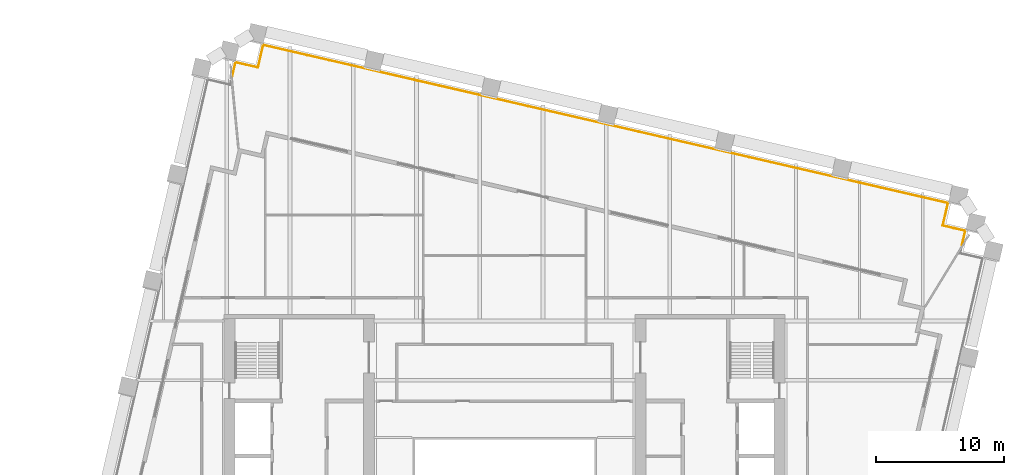
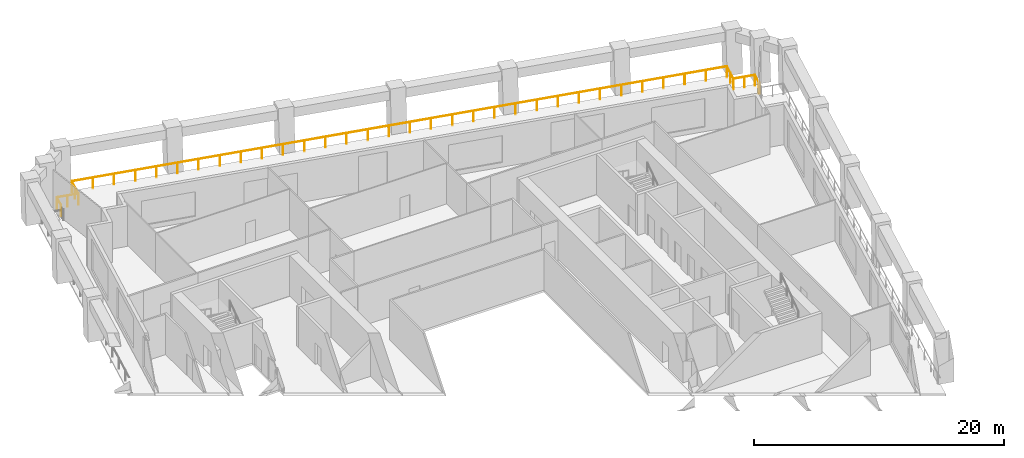
# One storey, part 10 of 10: 1 railing.
"""IFC4 building model written with IfcOpenShell, lengths in metres."""

import ifcopenshell
import ifcopenshell.guid

model = None  # the IFC model being written
_history = None  # IfcOwnerHistory: only IFC2X3 demands one
_inside = {}  # id of a spatial element -> (the spatial element, [elements in it])
_under = {}  # id of a project, library or spatial element -> (it, [spatial elements below it])
_declared = {}  # id of a project -> (the project, [libraries it declares])
_typed = {}  # id of a type object -> (the type object, [elements of that type])
_made_of = {}  # id of a material, layer set ... -> (it, [elements and type objects made of it])


def new_model(schema):
    """Start an empty IFC model of exactly this schema.

    Asked for "IFC4X3", IfcOpenShell would pick the latest addendum, in which some entities
    have other attributes; the version numbers below select the first issue.
    IFC2X3 requires an IfcOwnerHistory on every rooted entity: one is made here for all.
    """
    global model, _history
    if schema == "IFC4X3":
        model = ifcopenshell.file(schema_version=(4, 3, 0, 0))
    else:
        model = ifcopenshell.file(schema=schema)
    _inside.clear()
    _under.clear()
    _declared.clear()
    _typed.clear()
    _made_of.clear()
    _history = None
    if model.schema == "IFC2X3":
        org = make("IfcOrganization", Name="unknown")
        user = make(
            "IfcPersonAndOrganization",
            ThePerson=make("IfcPerson", FamilyName="unknown"),
            TheOrganization=org,
        )
        app = make(
            "IfcApplication",
            ApplicationDeveloper=org,
            Version="unknown",
            ApplicationFullName="unknown",
            ApplicationIdentifier="unknown",
        )
        _history = make(
            "IfcOwnerHistory",
            OwningUser=user,
            OwningApplication=app,
            ChangeAction="ADDED",
            CreationDate=0,
        )
    return model


def make(cls, **values):
    """One entity of the class cls with the attributes given. An attribute that is None is left unset."""
    return model.create_entity(
        cls, **{name: value for name, value in values.items() if value is not None}
    )


def rooted(cls, **values):
    """An entity with a GlobalId (a new one), such as an element, a storey or a relation."""
    return make(cls, GlobalId=ifcopenshell.guid.new(), OwnerHistory=_history, **values)


def si_unit(unit_type, name, prefix=None):
    """IfcSIUnit, for example si_unit("LENGTHUNIT", "METRE", prefix="MILLI")."""
    return make("IfcSIUnit", UnitType=unit_type, Prefix=prefix, Name=name)


def assignment(units):
    """IfcUnitAssignment: the units of a project."""
    return None if units is None else make("IfcUnitAssignment", Units=units)


def point(xyz):
    """IfcCartesianPoint."""
    return None if xyz is None else make("IfcCartesianPoint", Coordinates=xyz)


def direction(xyz):
    """IfcDirection."""
    return None if xyz is None else make("IfcDirection", DirectionRatios=xyz)


def frame(location, z_axis=None, x_axis=None):
    """IfcAxis2Placement3D, a coordinate frame: its origin and axes. An axis left out is left unset."""
    return make(
        "IfcAxis2Placement3D",
        Location=point(location),
        Axis=direction(z_axis),
        RefDirection=direction(x_axis),
    )


def frame_2d(location, x_axis=None):
    """IfcAxis2Placement2D, a coordinate frame in the plane: its origin and x axis."""
    return make(
        "IfcAxis2Placement2D", Location=point(location), RefDirection=direction(x_axis)
    )


def origin():
    """The frame at (0, 0, 0) with its axes left unset."""
    return frame((0.0, 0.0, 0.0))


def origin_2d():
    """The frame at (0, 0) in the plane with its x axis left unset."""
    return frame_2d((0.0, 0.0))


def place(relative_to, where):
    """IfcLocalPlacement: puts the frame where relative to a parent placement (None: the world)."""
    return make(
        "IfcLocalPlacement", PlacementRelTo=relative_to, RelativePlacement=where
    )


def context(
    kind, dimensions, precision=None, world=None, true_north=None, identifier=None
):
    """IfcGeometricRepresentationContext, for example the 3D "Model" context."""
    return make(
        "IfcGeometricRepresentationContext",
        ContextIdentifier=identifier,
        ContextType=kind,
        CoordinateSpaceDimension=dimensions,
        Precision=precision,
        WorldCoordinateSystem=world,
        TrueNorth=true_north,
    )


def subcontext(parent, identifier, kind, view, scale=None):
    """IfcGeometricRepresentationSubContext, for example "Body" below "Model"."""
    return make(
        "IfcGeometricRepresentationSubContext",
        ContextIdentifier=identifier,
        ContextType=kind,
        ParentContext=parent,
        TargetScale=scale,
        TargetView=view,
    )


def project(units=None, contexts=None):
    """IfcProject with its units and contexts."""
    return rooted(
        "IfcProject",
        Name="project",
        RepresentationContexts=contexts,
        UnitsInContext=assignment(units),
    )


def spatial(cls, under=None, at=None, **own):
    """A site, building, storey or space (cls), placed at a placement, below another one or the project."""
    s = rooted(cls, ObjectPlacement=at, **own)
    if under is not None:
        _under.setdefault(under.id(), (under, []))[1].append(s)
    return s


def profile(cls, at=None, kind="AREA", **sizes):
    """A parametric profile (cls). Its sizes go by their IFC names, for example OverallWidth=200.0."""
    return make(cls, ProfileType=kind, Position=at, **sizes)


def circle(**sizes):
    """IfcCircleProfileDef."""
    return profile("IfcCircleProfileDef", **sizes)


def extrude(swept, where, along, depth):
    """IfcExtrudedAreaSolid: the profile swept, set in the frame where, extruded along a direction by depth."""
    return make(
        "IfcExtrudedAreaSolid",
        SweptArea=swept,
        Position=where,
        ExtrudedDirection=direction(along),
        Depth=depth,
    )


def shape(context_of_items, identifier, shape_type, items):
    """IfcShapeRepresentation: the items that make up one representation, for example the "Body"."""
    return make(
        "IfcShapeRepresentation",
        ContextOfItems=context_of_items,
        RepresentationIdentifier=identifier,
        RepresentationType=shape_type,
        Items=items,
    )


def material(Name=None, Category=None):
    """IfcMaterial."""
    return make("IfcMaterial", Name=Name, Category=Category)


def made_of(thing, what):
    """Note that an element or type object is made of a material, layer set ...; save() writes the relation."""
    if what is not None:
        _made_of.setdefault(what.id(), (what, []))[1].append(thing)
    return thing


def type_object(cls, material=None, **own):
    """A type object (cls), such as IfcWallType, which elements share."""
    return made_of(rooted(cls, **own), material)


def element(
    cls,
    number,
    at=None,
    inside=None,
    cuts=None,
    type_object=None,
    material=None,
    context=None,
    identifier="Body",
    shape_type=None,
    held_by="IfcProductDefinitionShape",
    body=None,
    shapes=None,
    **own,
):
    """One element of the class cls, such as IfcWall. Its Tag is "e" and its number.

    at: its placement. inside: the storey or other place that contains it. cuts: it is an
    opening in that element (IfcRelVoidsElement). A single representation is given by context,
    identifier, shape_type and body (its items); several are given by shapes. held_by: the class
    of the entity that holds the representations. save() writes the other relations.
    """
    e = rooted(cls, Tag="e%d" % number, ObjectPlacement=at, **own)
    if body is not None:
        shapes = [shape(context, identifier, shape_type, body)]
    if shapes is not None:
        e.Representation = make(held_by, Representations=shapes)
    if inside is not None:
        _inside.setdefault(inside.id(), (inside, []))[1].append(e)
    if cuts is not None:
        rooted(
            "IfcRelVoidsElement", RelatingBuildingElement=cuts, RelatedOpeningElement=e
        )
    if type_object is not None:
        _typed.setdefault(type_object.id(), (type_object, []))[1].append(e)
    return made_of(e, material)


def aggregate(whole, parts):
    """IfcRelAggregates: a whole, such as a stair, and the parts it consists of."""
    return rooted("IfcRelAggregates", RelatingObject=whole, RelatedObjects=parts)


def save(model, path):
    """Write the relations noted so far, then the file.

    IfcRelAggregates (storeys below a building ...), IfcRelContainedInSpatialStructure (elements
    in a storey), IfcRelDefinesByType, IfcRelAssociatesMaterial and IfcRelDeclares: one each for
    every whole, place, type object, material and project.
    """
    for whole, parts in _under.values():
        aggregate(whole, parts)
    for where, things in _inside.values():
        rooted(
            "IfcRelContainedInSpatialStructure",
            RelatedElements=things,
            RelatingStructure=where,
        )
    for kind, things in _typed.values():
        rooted("IfcRelDefinesByType", RelatedObjects=things, RelatingType=kind)
    for what, things in _made_of.values():
        rooted("IfcRelAssociatesMaterial", RelatedObjects=things, RelatingMaterial=what)
    for by, libraries in _declared.values():
        rooted("IfcRelDeclares", RelatingContext=by, RelatedDefinitions=libraries)
    model.write(path)


model = new_model("IFC4")

# Units and contexts
model_context = context("Model", 3, precision=1e-05, world=origin(), true_north=direction((0.0, 1.0)))
body_context = subcontext(model_context, "Body", "Model", "MODEL_VIEW")
ifc_project = project(units=[si_unit("LENGTHUNIT", "METRE"), si_unit("AREAUNIT", "SQUARE_METRE"), si_unit("VOLUMEUNIT", "CUBIC_METRE"), si_unit("PLANEANGLEUNIT", "RADIAN"), si_unit("MASSUNIT", "GRAM", prefix="KILO")], contexts=[model_context])

# Site, building, storey
site_placement = place(None, origin())
site = spatial("IfcSite", under=ifc_project, at=site_placement, CompositionType="ELEMENT")
building_placement = place(site_placement, origin())
building = spatial("IfcBuilding", under=site, at=building_placement, Name="Ogive Exchange Tower", CompositionType="ELEMENT")
storey_placement = place(building_placement, frame((0.0, 0.0, 151.800048828125)))
storey = spatial("IfcBuildingStorey", under=building, at=storey_placement, Name="L33", CompositionType="ELEMENT", Elevation=151.800048828125)

# Railing
ifc_material = material(Name="Stainless steel 316", Category="steel")
railing_type = type_object("IfcRailingType", Name="Guard 1100 stainless steel and glass", PredefinedType="GUARDRAIL", material=ifc_material)
railing_placement = place(storey_placement, frame((-21.221435546875, 44.29736328125, -0.050048828125)))
element("IfcRailing", 1, at=railing_placement, inside=storey, type_object=railing_type, Name="Loggia guard 3", PredefinedType="GUARDRAIL", context=body_context, shape_type="SweptSolid", body=[
    extrude(circle(Radius=0.02392578125, at=origin_2d()), frame((0.0, 0.0, 1.076171875), z_axis=(0.225066361846, 0.974343436764, 0.0), x_axis=(-0.974343436764, 0.225066361846, 0.0)), (0.0, 0.0, 1.0), 1.12060546875),
    extrude(circle(Radius=0.02392578125, at=origin_2d()), frame((0.252197265625, 1.091796875, 1.076171875), z_axis=(0.974386623598, -0.224879318197, 0.0), x_axis=(0.224879318197, 0.974386623598, 0.0)), (0.0, 0.0, 1.0), 1.800048828125),
    extrude(circle(Radius=0.02392578125, at=origin_2d()), frame((2.006103515625, 0.68701171875, 1.076171875), z_axis=(0.224879318197, 0.974386623598, 0.0), x_axis=(-0.974386623598, 0.224879318197, 0.0)), (0.0, 0.0, 1.0), 1.800048828125),
    extrude(circle(Radius=0.02392578125, at=origin_2d()), frame((2.410888671875, 2.44091796875, 1.076171875), z_axis=(0.974369851199, -0.224951979483, 0.0), x_axis=(0.224951979483, 0.974369851199, 0.0)), (0.0, 0.0, 1.0), 54.760009765625),
    extrude(circle(Radius=0.02392578125, at=origin_2d()), frame((55.767333984375, -9.87744140625, 1.076171875), z_axis=(-0.224879318197, -0.974386623598, 0.0), x_axis=(0.974386623598, -0.224879318197, 0.0)), (0.0, 0.0, 1.0), 1.800048828125),
    extrude(circle(Radius=0.02392578125, at=origin_2d()), frame((55.362548828125, -11.63134765625, 1.076171875), z_axis=(0.974356896201, -0.225008086135, 0.0), x_axis=(0.225008086135, 0.974356896201, 0.0)), (0.0, 0.0, 1.0), 1.800048828125),
    extrude(circle(Radius=0.02392578125, at=origin_2d()), frame((57.116455078125, -12.036376953125, 1.076171875), z_axis=(-0.225066361846, -0.974343436764, 0.0), x_axis=(0.974343436764, -0.225066361846, 0.0)), (0.0, 0.0, 1.0), 1.12060546875),
    extrude(circle(Radius=0.02099609375, at=origin_2d()), origin(), (0.0, 0.0, 1.0), 1.052001953125),
    extrude(circle(Radius=0.02099609375, at=origin_2d()), frame((0.252197265625, 1.091796875, 0.0)), (0.0, 0.0, 1.0), 1.052001953125),
    extrude(circle(Radius=0.02099609375, at=origin_2d()), frame((1.129150390625, 0.889404296875, 0.0)), (0.0, 0.0, 1.0), 1.052001953125),
    extrude(circle(Radius=0.02099609375, at=origin_2d()), frame((2.006103515625, 0.68701171875, 0.0)), (0.0, 0.0, 1.0), 1.052001953125),
    extrude(circle(Radius=0.02099609375, at=origin_2d()), frame((2.20849609375, 1.56396484375, 0.0)), (0.0, 0.0, 1.0), 1.052001953125),
    extrude(circle(Radius=0.02099609375, at=origin_2d()), frame((2.410888671875, 2.44091796875, 0.0)), (0.0, 0.0, 1.0), 1.052001953125),
    extrude(circle(Radius=0.02099609375, at=origin_2d()), frame((4.132080078125, 2.04345703125, 0.0)), (0.0, 0.0, 1.0), 1.052001953125),
    extrude(circle(Radius=0.02099609375, at=origin_2d()), frame((5.853271484375, 1.646240234375, 0.0)), (0.0, 0.0, 1.0), 1.052001953125),
    extrude(circle(Radius=0.02099609375, at=origin_2d()), frame((7.574462890625, 1.248779296875, 0.0)), (0.0, 0.0, 1.0), 1.052001953125),
    extrude(circle(Radius=0.02099609375, at=origin_2d()), frame((9.295654296875, 0.8515625, 0.0)), (0.0, 0.0, 1.0), 1.052001953125),
    extrude(circle(Radius=0.02099609375, at=origin_2d()), frame((11.016845703125, 0.4541015625, 0.0)), (0.0, 0.0, 1.0), 1.052001953125),
    extrude(circle(Radius=0.02099609375, at=origin_2d()), frame((12.738037109375, 0.056640625, 0.0)), (0.0, 0.0, 1.0), 1.052001953125),
    extrude(circle(Radius=0.02099609375, at=origin_2d()), frame((14.459228515625, -0.340576171875, 0.0)), (0.0, 0.0, 1.0), 1.052001953125),
    extrude(circle(Radius=0.02099609375, at=origin_2d()), frame((16.18017578125, -0.738037109375, 0.0)), (0.0, 0.0, 1.0), 1.052001953125),
    extrude(circle(Radius=0.02099609375, at=origin_2d()), frame((17.9013671875, -1.135498046875, 0.0)), (0.0, 0.0, 1.0), 1.052001953125),
    extrude(circle(Radius=0.02099609375, at=origin_2d()), frame((19.62255859375, -1.53271484375, 0.0)), (0.0, 0.0, 1.0), 1.052001953125),
    extrude(circle(Radius=0.02099609375, at=origin_2d()), frame((21.34375, -1.93017578125, 0.0)), (0.0, 0.0, 1.0), 1.052001953125),
    extrude(circle(Radius=0.02099609375, at=origin_2d()), frame((23.06494140625, -2.327392578125, 0.0)), (0.0, 0.0, 1.0), 1.052001953125),
    extrude(circle(Radius=0.02099609375, at=origin_2d()), frame((24.7861328125, -2.724853515625, 0.0)), (0.0, 0.0, 1.0), 1.052001953125),
    extrude(circle(Radius=0.02099609375, at=origin_2d()), frame((26.50732421875, -3.122314453125, 0.0)), (0.0, 0.0, 1.0), 1.052001953125),
    extrude(circle(Radius=0.02099609375, at=origin_2d()), frame((28.228515625, -3.51953125, 0.0)), (0.0, 0.0, 1.0), 1.052001953125),
    extrude(circle(Radius=0.02099609375, at=origin_2d()), frame((29.94970703125, -3.9169921875, 0.0)), (0.0, 0.0, 1.0), 1.052001953125),
    extrude(circle(Radius=0.02099609375, at=origin_2d()), frame((31.6708984375, -4.314208984375, 0.0)), (0.0, 0.0, 1.0), 1.052001953125),
    extrude(circle(Radius=0.02099609375, at=origin_2d()), frame((33.39208984375, -4.711669921875, 0.0)), (0.0, 0.0, 1.0), 1.052001953125),
    extrude(circle(Radius=0.02099609375, at=origin_2d()), frame((35.11328125, -5.109130859375, 0.0)), (0.0, 0.0, 1.0), 1.052001953125),
    extrude(circle(Radius=0.02099609375, at=origin_2d()), frame((36.83447265625, -5.50634765625, 0.0)), (0.0, 0.0, 1.0), 1.052001953125),
    extrude(circle(Radius=0.02099609375, at=origin_2d()), frame((38.5556640625, -5.90380859375, 0.0)), (0.0, 0.0, 1.0), 1.052001953125),
    extrude(circle(Radius=0.02099609375, at=origin_2d()), frame((40.27685546875, -6.301025390625, 0.0)), (0.0, 0.0, 1.0), 1.052001953125),
    extrude(circle(Radius=0.02099609375, at=origin_2d()), frame((41.998046875, -6.698486328125, 0.0)), (0.0, 0.0, 1.0), 1.052001953125),
    extrude(circle(Radius=0.02099609375, at=origin_2d()), frame((43.718994140625, -7.095947265625, 0.0)), (0.0, 0.0, 1.0), 1.052001953125),
    extrude(circle(Radius=0.02099609375, at=origin_2d()), frame((45.440185546875, -7.4931640625, 0.0)), (0.0, 0.0, 1.0), 1.052001953125),
    extrude(circle(Radius=0.02099609375, at=origin_2d()), frame((47.161376953125, -7.890625, 0.0)), (0.0, 0.0, 1.0), 1.052001953125),
    extrude(circle(Radius=0.02099609375, at=origin_2d()), frame((48.882568359375, -8.2880859375, 0.0)), (0.0, 0.0, 1.0), 1.052001953125),
    extrude(circle(Radius=0.02099609375, at=origin_2d()), frame((50.603759765625, -8.685302734375, 0.0)), (0.0, 0.0, 1.0), 1.052001953125),
    extrude(circle(Radius=0.02099609375, at=origin_2d()), frame((52.324951171875, -9.082763671875, 0.0)), (0.0, 0.0, 1.0), 1.052001953125),
    extrude(circle(Radius=0.02099609375, at=origin_2d()), frame((54.046142578125, -9.47998046875, 0.0)), (0.0, 0.0, 1.0), 1.052001953125),
    extrude(circle(Radius=0.02099609375, at=origin_2d()), frame((55.767333984375, -9.87744140625, 0.0)), (0.0, 0.0, 1.0), 1.052001953125),
    extrude(circle(Radius=0.02099609375, at=origin_2d()), frame((55.56494140625, -10.75439453125, 0.0)), (0.0, 0.0, 1.0), 1.052001953125),
    extrude(circle(Radius=0.02099609375, at=origin_2d()), frame((55.362548828125, -11.63134765625, 0.0)), (0.0, 0.0, 1.0), 1.052001953125),
    extrude(circle(Radius=0.02099609375, at=origin_2d()), frame((56.239501953125, -11.833984375, 0.0)), (0.0, 0.0, 1.0), 1.052001953125),
    extrude(circle(Radius=0.02099609375, at=origin_2d()), frame((57.116455078125, -12.036376953125, 0.0)), (0.0, 0.0, 1.0), 1.052001953125),
    extrude(circle(Radius=0.02099609375, at=origin_2d()), frame((56.8642578125, -13.128173828125, 0.0)), (0.0, 0.0, 1.0), 1.052001953125),
])

save(model, "model.ifc")
